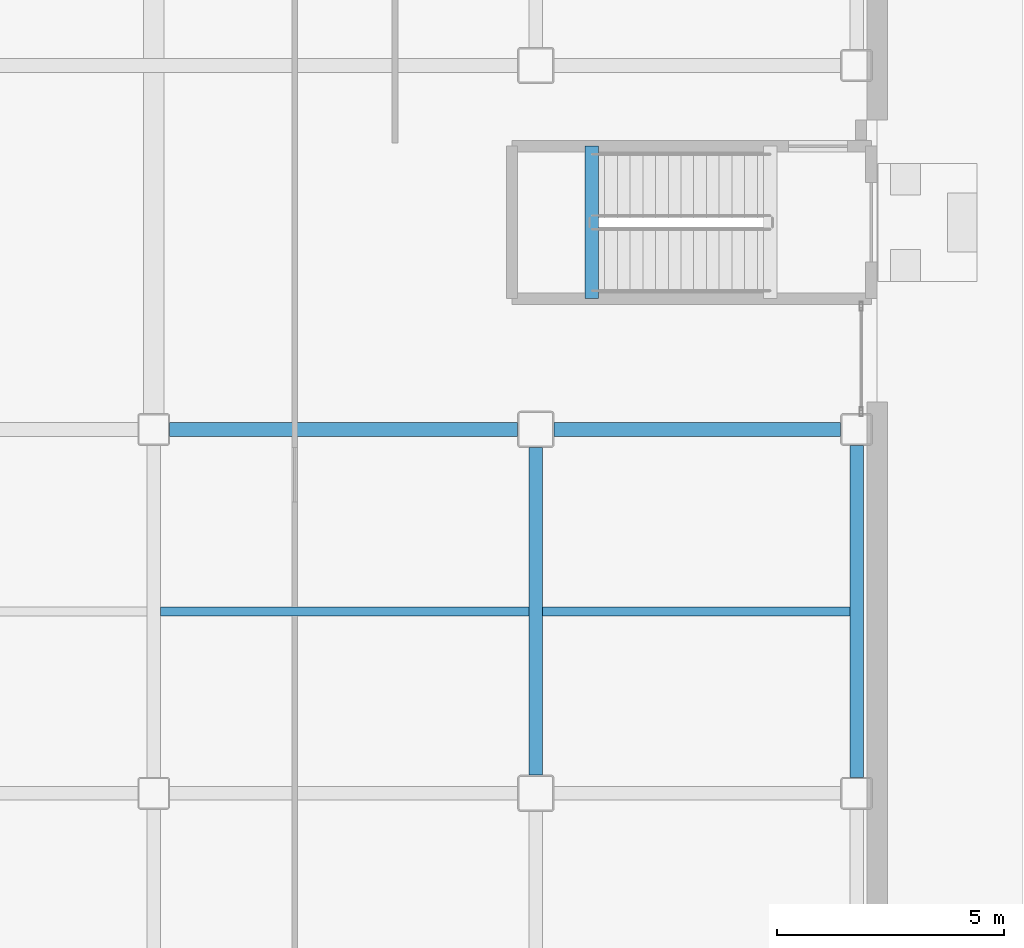
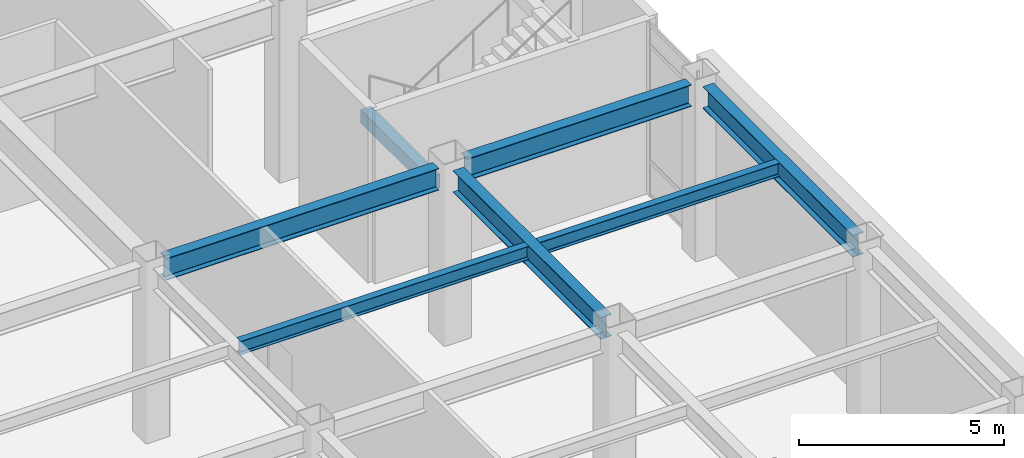
# One storey, part 90 of 165: 7 beams.
"""IFC4 building model written with IfcOpenShell, lengths in metres."""

from ifc_helpers import new_model, si_unit, direction, frame, origin, origin_2d, place, context, subcontext, project, spatial, rectangle, i_section, extrude, material, material_profile, profile_set, type_object, element, save


model = new_model("IFC4")

# Units and contexts
model_context = context("Model", 3, precision=1e-05, world=origin(), true_north=direction((0.0, 1.0)))
body_context = subcontext(model_context, "Body", "Model", "MODEL_VIEW")
ifc_project = project(units=[si_unit("LENGTHUNIT", "METRE"), si_unit("AREAUNIT", "SQUARE_METRE"), si_unit("VOLUMEUNIT", "CUBIC_METRE"), si_unit("PLANEANGLEUNIT", "RADIAN"), si_unit("MASSUNIT", "GRAM", prefix="KILO")], contexts=[model_context])

# Site, building, storey
site_placement = place(None, origin())
site = spatial("IfcSite", under=ifc_project, at=site_placement, CompositionType="ELEMENT")
building_placement = place(site_placement, origin())
building = spatial("IfcBuilding", under=site, at=building_placement, Name="Kazehara Bluff Congress Hotel", CompositionType="ELEMENT")
storey_placement = place(building_placement, origin())
storey = spatial("IfcBuildingStorey", under=building, at=storey_placement, Name="L00", CompositionType="ELEMENT", Elevation=0.0)

# Beams
ifc_material_1 = material(Name="Steel SN490B", Category="steel")
ifc_material_profile_1 = material_profile(ifc_material_1, i_section(OverallWidth=0.300048828125, OverallDepth=0.64990234375, WebThickness=0.011962890625, FlangeThickness=0.02001953125, FilletRadius=0.012939453125, at=origin_2d()))
ifc_profile_set_1 = profile_set([ifc_material_profile_1], Name="Steel SN490B")
beam_type_1 = type_object("IfcBeamType", Name="TP-G-03", PredefinedType="BEAM", material=ifc_profile_set_1)
beam_1_placement = place(storey_placement, frame((160.5, 8.39990234375, 4.824951171875), z_axis=(0.0, 1.0, 0.0), x_axis=(-1.0, 0.0, 0.0)))
element("IfcBeam", 1, at=beam_1_placement, inside=storey, type_object=beam_type_1, Name="L00 girder G-03 250", PredefinedType="BEAM", context=body_context, shape_type="SweptSolid", body=[
    extrude(i_section(OverallWidth=0.300048828125, OverallDepth=0.64990234375, WebThickness=0.011962890625, FlangeThickness=0.02001953125, FilletRadius=0.012939453125, at=origin_2d()), origin(), (0.0, 0.0, 1.0), 7.2001953125),
])
beam_2_placement = place(storey_placement, frame((167.550048828125, 8.35009765625, 4.824951171875), z_axis=(0.0, 1.0, 0.0), x_axis=(-1.0, 0.0, 0.0)))
element("IfcBeam", 2, at=beam_2_placement, inside=storey, type_object=beam_type_1, Name="L00 girder G-03 261", PredefinedType="BEAM", context=body_context, shape_type="SweptSolid", body=[
    extrude(i_section(OverallWidth=0.300048828125, OverallDepth=0.64990234375, WebThickness=0.011962890625, FlangeThickness=0.02001953125, FilletRadius=0.012939453125, at=origin_2d()), origin(), (0.0, 0.0, 1.0), 7.2998046875),
])
beam_3_placement = place(storey_placement, frame((152.449951171875, 16.0, 4.824951171875), z_axis=(1.0, 0.0, 0.0), x_axis=(0.0, 1.0, 0.0)))
element("IfcBeam", 3, at=beam_3_placement, inside=storey, type_object=beam_type_1, Name="L00 girder G-03 282", PredefinedType="BEAM", context=body_context, shape_type="SweptSolid", body=[
    extrude(i_section(OverallWidth=0.300048828125, OverallDepth=0.64990234375, WebThickness=0.011962890625, FlangeThickness=0.02001953125, FilletRadius=0.012939453125, at=origin_2d()), origin(), (0.0, 0.0, 1.0), 7.650146484375),
])
beam_4_placement = place(storey_placement, frame((160.89990234375, 16.0, 4.824951171875), z_axis=(1.0, 0.0, 0.0), x_axis=(0.0, 1.0, 0.0)))
element("IfcBeam", 4, at=beam_4_placement, inside=storey, type_object=beam_type_1, Name="L00 girder G-03 283", PredefinedType="BEAM", context=body_context, shape_type="SweptSolid", body=[
    extrude(i_section(OverallWidth=0.300048828125, OverallDepth=0.64990234375, WebThickness=0.011962890625, FlangeThickness=0.02001953125, FilletRadius=0.012939453125, at=origin_2d()), origin(), (0.0, 0.0, 1.0), 6.300048828125),
])
ifc_material_2 = material(Name="Steel SN400B", Category="steel")
ifc_material_profile_2 = material_profile(ifc_material_2, i_section(OverallWidth=0.199951171875, OverallDepth=0.39990234375, WebThickness=0.008056640625, FlangeThickness=0.012939453125, FilletRadius=0.012939453125, at=origin_2d()))
ifc_profile_set_2 = profile_set([ifc_material_profile_2], Name="Steel SN400B")
beam_type_2 = type_object("IfcBeamType", Name="TP-J-03", PredefinedType="JOIST", material=ifc_profile_set_2)
beam_5_placement = place(storey_placement, frame((152.25, 12.0, 4.949951171875), z_axis=(1.0, 0.0, 0.0), x_axis=(0.0, 1.0, 0.0)))
element("IfcBeam", 5, at=beam_5_placement, inside=storey, type_object=beam_type_2, Name="L00 secondary joist J-03 66", PredefinedType="JOIST", context=body_context, shape_type="SweptSolid", body=[
    extrude(i_section(OverallWidth=0.199951171875, OverallDepth=0.39990234375, WebThickness=0.008056640625, FlangeThickness=0.012939453125, FilletRadius=0.012939453125, at=origin_2d()), origin(), (0.0, 0.0, 1.0), 8.10009765625),
])
beam_6_placement = place(storey_placement, frame((160.64990234375, 12.0, 4.949951171875), z_axis=(1.0, 0.0, 0.0), x_axis=(0.0, 1.0, 0.0)))
element("IfcBeam", 6, at=beam_6_placement, inside=storey, type_object=beam_type_2, Name="L00 secondary joist J-03 70", PredefinedType="JOIST", context=body_context, shape_type="SweptSolid", body=[
    extrude(i_section(OverallWidth=0.199951171875, OverallDepth=0.39990234375, WebThickness=0.008056640625, FlangeThickness=0.012939453125, FilletRadius=0.012939453125, at=origin_2d()), origin(), (0.0, 0.0, 1.0), 6.75),
])
ifc_material_3 = material(Name="Concrete C40/50", Category="concrete")
ifc_material_profile_3 = material_profile(ifc_material_3, rectangle(XDim=0.300048828125, YDim=0.39990234375, at=origin_2d()))
ifc_profile_set_3 = profile_set([ifc_material_profile_3], Name="Concrete C40/50")
beam_type_3 = type_object("IfcBeamType", Name="TP-LN-02", PredefinedType="LINTEL", material=ifc_profile_set_3)
beam_7_placement = place(storey_placement, frame((161.72998046875, 22.22509765625, 2.320068359375), z_axis=(0.0, -1.0, 0.0), x_axis=(1.0, 0.0, 0.0)))
element("IfcBeam", 7, at=beam_7_placement, inside=storey, type_object=beam_type_3, Name="L00 ST-10 half-landing support beam 1", PredefinedType="LINTEL", context=body_context, shape_type="SweptSolid", body=[
    extrude(rectangle(XDim=0.300048828125, YDim=0.39990234375, at=origin_2d()), origin(), (0.0, 0.0, 1.0), 3.35009765625),
])

save(model, "model.ifc")
